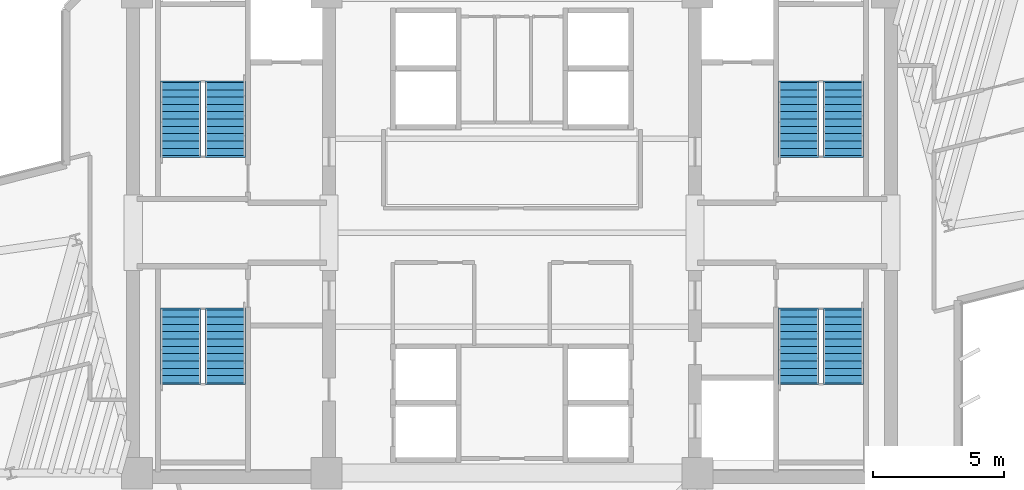
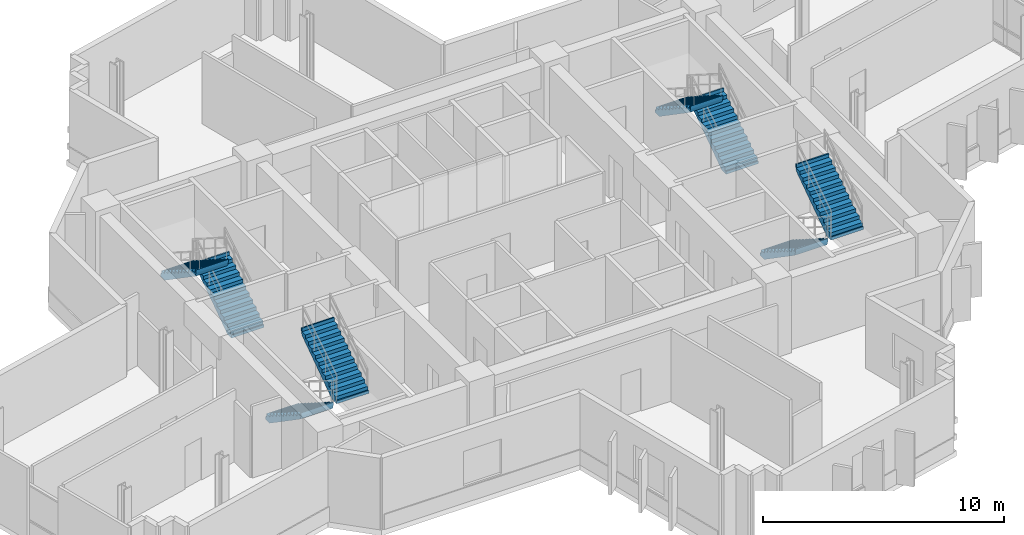
# One storey, part 10 of 13: 8 stair flights, 4 elements without a shape of their own.
"""IFC4 building model written with IfcOpenShell, lengths in metres."""

from ifc_helpers import new_model, si_unit, direction, frame, origin, place, context, subcontext, project, spatial, polyline, outline, extrude, material, type_object, element, aggregate, save


model = new_model("IFC4")

# Units and contexts
model_context = context("Model", 3, precision=1e-05, world=origin(), true_north=direction((0.0, 1.0)))
body_context = subcontext(model_context, "Body", "Model", "MODEL_VIEW")
ifc_project = project(units=[si_unit("LENGTHUNIT", "METRE"), si_unit("AREAUNIT", "SQUARE_METRE"), si_unit("VOLUMEUNIT", "CUBIC_METRE"), si_unit("PLANEANGLEUNIT", "RADIAN"), si_unit("MASSUNIT", "GRAM", prefix="KILO")], contexts=[model_context])

# Site, building, storey
site_placement = place(None, origin())
site = spatial("IfcSite", under=ifc_project, at=site_placement, CompositionType="ELEMENT")
building_placement = place(site_placement, origin())
building = spatial("IfcBuilding", under=site, at=building_placement, Name="Zahravan Cultural Tower", CompositionType="ELEMENT")
storey_placement = place(building_placement, frame((0.0, 0.0, 182.39990234375)))
storey = spatial("IfcBuildingStorey", under=building, at=storey_placement, Name="L42", CompositionType="ELEMENT", Elevation=182.39990234375)

# Stair, stair flights
ifc_material = material(Name="Concrete C45/55", Category="concrete")
stair_type = type_object("IfcStairType", Name="STR-DL-1550-390", PredefinedType="HALF_TURN_STAIR", material=ifc_material)
stair_1_placement = place(storey_placement, origin())
stair_1 = element("IfcStair", 1, at=stair_1_placement, inside=storey, type_object=stair_type, Name="L42 West Core North Exit Stair ST-W1", PredefinedType="HALF_TURN_STAIR")
stair_flight_type = type_object("IfcStairFlightType", Name="FLG-DL-1550-390", PredefinedType="STRAIGHT", material=ifc_material)
stair_flight_1_placement = place(storey_placement, frame((25.02490234375, 29.949951171875, 0.0), z_axis=(0.0, 0.0, 1.0), x_axis=(0.0, 1.0, 0.0)))
stair_flight_1 = element("IfcStairFlight", 2, at=stair_flight_1_placement, type_object=stair_flight_type, Name="ST-W1 flight 1", NumberOfRisers=11, NumberOfTreads=10, PredefinedType="STRAIGHT", RiserHeight=0.177272727, TreadLength=0.28, context=body_context, shape_type="SweptSolid", body=[
    extrude(outline(polyline([(-0.06494140625, -0.139892578125), (-0.06494140625, 0.0), (0.0, 0.0), (0.0, 0.17724609375), (0.280029296875, 0.17724609375), (0.280029296875, 0.3544921875), (0.56005859375, 0.3544921875), (0.56005859375, 0.53173828125), (0.840087890625, 0.53173828125), (0.840087890625, 0.708984375), (1.1201171875, 0.708984375), (1.1201171875, 0.886474609375), (1.39990234375, 0.886474609375), (1.39990234375, 1.063720703125), (1.679931640625, 1.063720703125), (1.679931640625, 1.240966796875), (1.9599609375, 1.240966796875), (1.9599609375, 1.418212890625), (2.239990234375, 1.418212890625), (2.239990234375, 1.595458984375), (2.52001953125, 1.595458984375), (2.52001953125, 1.772705078125), (2.800048828125, 1.772705078125), (2.800048828125, 1.949951171875), (2.864990234375, 1.949951171875), (2.864990234375, 1.800048828125), (2.800048828125, 1.59521484375), (0.2802734375, -0.139892578125), (-0.06494140625, -0.139892578125)])), frame((0.0, 0.77490234375, 0.0), z_axis=(0.0, -1.0, 0.0), x_axis=(1.0, 0.0, 0.0)), (0.0, 0.0, 1.0), 1.550048828125),
])
stair_flight_2_placement = place(storey_placement, frame((23.324951171875, 32.75, 1.9501953125), z_axis=(0.0, 0.0, 1.0), x_axis=(0.0, -1.0, 0.0)))
stair_flight_2 = element("IfcStairFlight", 3, at=stair_flight_2_placement, type_object=stair_flight_type, Name="ST-W1 flight 2", NumberOfRisers=11, NumberOfTreads=10, PredefinedType="STRAIGHT", RiserHeight=0.177272727, TreadLength=0.28, context=body_context, shape_type="SweptSolid", body=[
    extrude(outline(polyline([(-0.06494140625, -0.139892578125), (-0.06494140625, 0.0), (0.0, 0.0), (0.0, 0.17724609375), (0.280029296875, 0.17724609375), (0.280029296875, 0.3544921875), (0.56005859375, 0.3544921875), (0.56005859375, 0.53173828125), (0.840087890625, 0.53173828125), (0.840087890625, 0.708984375), (1.1201171875, 0.708984375), (1.1201171875, 0.886474609375), (1.39990234375, 0.886474609375), (1.39990234375, 1.063720703125), (1.679931640625, 1.063720703125), (1.679931640625, 1.240966796875), (1.9599609375, 1.240966796875), (1.9599609375, 1.418212890625), (2.239990234375, 1.418212890625), (2.239990234375, 1.595458984375), (2.52001953125, 1.595458984375), (2.52001953125, 1.772705078125), (2.800048828125, 1.772705078125), (2.800048828125, 1.949951171875), (2.864990234375, 1.949951171875), (2.864990234375, 1.800048828125), (2.800048828125, 1.59521484375), (0.2802734375, -0.139892578125), (-0.06494140625, -0.139892578125)])), frame((0.0, 0.77490234375, 0.0), z_axis=(0.0, -1.0, 0.0), x_axis=(1.0, 0.0, 0.0)), (0.0, 0.0, 1.0), 1.550048828125),
])
aggregate(stair_1, [stair_flight_1, stair_flight_2])

stair_2_placement = place(storey_placement, origin())
stair_2 = element("IfcStair", 4, at=stair_2_placement, inside=storey, type_object=stair_type, Name="L42 West Core South Exit Stair ST-W2", PredefinedType="HALF_TURN_STAIR")
stair_flight_3_placement = place(storey_placement, frame((23.324951171875, 24.050048828125, 0.0), z_axis=(0.0, 0.0, 1.0), x_axis=(0.0, -1.0, 0.0)))
stair_flight_3 = element("IfcStairFlight", 5, at=stair_flight_3_placement, type_object=stair_flight_type, Name="ST-W2 flight 1", NumberOfRisers=11, NumberOfTreads=10, PredefinedType="STRAIGHT", RiserHeight=0.177272727, TreadLength=0.28, context=body_context, shape_type="SweptSolid", body=[
    extrude(outline(polyline([(-0.06494140625, -0.139892578125), (-0.06494140625, 0.0), (0.0, 0.0), (0.0, 0.17724609375), (0.280029296875, 0.17724609375), (0.280029296875, 0.3544921875), (0.56005859375, 0.3544921875), (0.56005859375, 0.53173828125), (0.840087890625, 0.53173828125), (0.840087890625, 0.708984375), (1.1201171875, 0.708984375), (1.1201171875, 0.886474609375), (1.39990234375, 0.886474609375), (1.39990234375, 1.063720703125), (1.679931640625, 1.063720703125), (1.679931640625, 1.240966796875), (1.9599609375, 1.240966796875), (1.9599609375, 1.418212890625), (2.239990234375, 1.418212890625), (2.239990234375, 1.595458984375), (2.52001953125, 1.595458984375), (2.52001953125, 1.772705078125), (2.800048828125, 1.772705078125), (2.800048828125, 1.949951171875), (2.864990234375, 1.949951171875), (2.864990234375, 1.800048828125), (2.800048828125, 1.59521484375), (0.2802734375, -0.139892578125), (-0.06494140625, -0.139892578125)])), frame((0.0, 0.77490234375, 0.0), z_axis=(0.0, -1.0, 0.0), x_axis=(1.0, 0.0, 0.0)), (0.0, 0.0, 1.0), 1.550048828125),
])
stair_flight_4_placement = place(storey_placement, frame((25.02490234375, 21.25, 1.9501953125), z_axis=(0.0, 0.0, 1.0), x_axis=(0.0, 1.0, 0.0)))
stair_flight_4 = element("IfcStairFlight", 6, at=stair_flight_4_placement, type_object=stair_flight_type, Name="ST-W2 flight 2", NumberOfRisers=11, NumberOfTreads=10, PredefinedType="STRAIGHT", RiserHeight=0.177272727, TreadLength=0.28, context=body_context, shape_type="SweptSolid", body=[
    extrude(outline(polyline([(-0.06494140625, -0.139892578125), (-0.06494140625, 0.0), (0.0, 0.0), (0.0, 0.17724609375), (0.280029296875, 0.17724609375), (0.280029296875, 0.3544921875), (0.56005859375, 0.3544921875), (0.56005859375, 0.53173828125), (0.840087890625, 0.53173828125), (0.840087890625, 0.708984375), (1.1201171875, 0.708984375), (1.1201171875, 0.886474609375), (1.39990234375, 0.886474609375), (1.39990234375, 1.063720703125), (1.679931640625, 1.063720703125), (1.679931640625, 1.240966796875), (1.9599609375, 1.240966796875), (1.9599609375, 1.418212890625), (2.239990234375, 1.418212890625), (2.239990234375, 1.595458984375), (2.52001953125, 1.595458984375), (2.52001953125, 1.772705078125), (2.800048828125, 1.772705078125), (2.800048828125, 1.949951171875), (2.864990234375, 1.949951171875), (2.864990234375, 1.800048828125), (2.800048828125, 1.59521484375), (0.2802734375, -0.139892578125), (-0.06494140625, -0.139892578125)])), frame((0.0, 0.77490234375, 0.0), z_axis=(0.0, -1.0, 0.0), x_axis=(1.0, 0.0, 0.0)), (0.0, 0.0, 1.0), 1.550048828125),
])
aggregate(stair_2, [stair_flight_3, stair_flight_4])

stair_3_placement = place(storey_placement, origin())
stair_3 = element("IfcStair", 7, at=stair_3_placement, inside=storey, type_object=stair_type, Name="L42 East Core North Exit Stair ST-E1", PredefinedType="HALF_TURN_STAIR")
stair_flight_5_placement = place(storey_placement, frame((48.675048828125, 29.949951171875, 0.0), z_axis=(0.0, 0.0, 1.0), x_axis=(0.0, 1.0, 0.0)))
stair_flight_5 = element("IfcStairFlight", 8, at=stair_flight_5_placement, type_object=stair_flight_type, Name="ST-E1 flight 1", NumberOfRisers=11, NumberOfTreads=10, PredefinedType="STRAIGHT", RiserHeight=0.177272727, TreadLength=0.28, context=body_context, shape_type="SweptSolid", body=[
    extrude(outline(polyline([(-0.06494140625, -0.139892578125), (-0.06494140625, 0.0), (0.0, 0.0), (0.0, 0.17724609375), (0.280029296875, 0.17724609375), (0.280029296875, 0.3544921875), (0.56005859375, 0.3544921875), (0.56005859375, 0.53173828125), (0.840087890625, 0.53173828125), (0.840087890625, 0.708984375), (1.1201171875, 0.708984375), (1.1201171875, 0.886474609375), (1.39990234375, 0.886474609375), (1.39990234375, 1.063720703125), (1.679931640625, 1.063720703125), (1.679931640625, 1.240966796875), (1.9599609375, 1.240966796875), (1.9599609375, 1.418212890625), (2.239990234375, 1.418212890625), (2.239990234375, 1.595458984375), (2.52001953125, 1.595458984375), (2.52001953125, 1.772705078125), (2.800048828125, 1.772705078125), (2.800048828125, 1.949951171875), (2.864990234375, 1.949951171875), (2.864990234375, 1.800048828125), (2.800048828125, 1.59521484375), (0.2802734375, -0.139892578125), (-0.06494140625, -0.139892578125)])), frame((0.0, 0.77490234375, 0.0), z_axis=(0.0, -1.0, 0.0), x_axis=(1.0, 0.0, 0.0)), (0.0, 0.0, 1.0), 1.550048828125),
])
stair_flight_6_placement = place(storey_placement, frame((46.97509765625, 32.75, 1.9501953125), z_axis=(0.0, 0.0, 1.0), x_axis=(0.0, -1.0, 0.0)))
stair_flight_6 = element("IfcStairFlight", 9, at=stair_flight_6_placement, type_object=stair_flight_type, Name="ST-E1 flight 2", NumberOfRisers=11, NumberOfTreads=10, PredefinedType="STRAIGHT", RiserHeight=0.177272727, TreadLength=0.28, context=body_context, shape_type="SweptSolid", body=[
    extrude(outline(polyline([(-0.06494140625, -0.139892578125), (-0.06494140625, 0.0), (0.0, 0.0), (0.0, 0.17724609375), (0.280029296875, 0.17724609375), (0.280029296875, 0.3544921875), (0.56005859375, 0.3544921875), (0.56005859375, 0.53173828125), (0.840087890625, 0.53173828125), (0.840087890625, 0.708984375), (1.1201171875, 0.708984375), (1.1201171875, 0.886474609375), (1.39990234375, 0.886474609375), (1.39990234375, 1.063720703125), (1.679931640625, 1.063720703125), (1.679931640625, 1.240966796875), (1.9599609375, 1.240966796875), (1.9599609375, 1.418212890625), (2.239990234375, 1.418212890625), (2.239990234375, 1.595458984375), (2.52001953125, 1.595458984375), (2.52001953125, 1.772705078125), (2.800048828125, 1.772705078125), (2.800048828125, 1.949951171875), (2.864990234375, 1.949951171875), (2.864990234375, 1.800048828125), (2.800048828125, 1.59521484375), (0.2802734375, -0.139892578125), (-0.06494140625, -0.139892578125)])), frame((0.0, 0.77490234375, 0.0), z_axis=(0.0, -1.0, 0.0), x_axis=(1.0, 0.0, 0.0)), (0.0, 0.0, 1.0), 1.550048828125),
])
aggregate(stair_3, [stair_flight_5, stair_flight_6])

stair_4_placement = place(storey_placement, origin())
stair_4 = element("IfcStair", 10, at=stair_4_placement, inside=storey, type_object=stair_type, Name="L42 East Core South Exit Stair ST-E2", PredefinedType="HALF_TURN_STAIR")
stair_flight_7_placement = place(storey_placement, frame((46.97509765625, 24.050048828125, 0.0), z_axis=(0.0, 0.0, 1.0), x_axis=(0.0, -1.0, 0.0)))
stair_flight_7 = element("IfcStairFlight", 11, at=stair_flight_7_placement, type_object=stair_flight_type, Name="ST-E2 flight 1", NumberOfRisers=11, NumberOfTreads=10, PredefinedType="STRAIGHT", RiserHeight=0.177272727, TreadLength=0.28, context=body_context, shape_type="SweptSolid", body=[
    extrude(outline(polyline([(-0.06494140625, -0.139892578125), (-0.06494140625, 0.0), (0.0, 0.0), (0.0, 0.17724609375), (0.280029296875, 0.17724609375), (0.280029296875, 0.3544921875), (0.56005859375, 0.3544921875), (0.56005859375, 0.53173828125), (0.840087890625, 0.53173828125), (0.840087890625, 0.708984375), (1.1201171875, 0.708984375), (1.1201171875, 0.886474609375), (1.39990234375, 0.886474609375), (1.39990234375, 1.063720703125), (1.679931640625, 1.063720703125), (1.679931640625, 1.240966796875), (1.9599609375, 1.240966796875), (1.9599609375, 1.418212890625), (2.239990234375, 1.418212890625), (2.239990234375, 1.595458984375), (2.52001953125, 1.595458984375), (2.52001953125, 1.772705078125), (2.800048828125, 1.772705078125), (2.800048828125, 1.949951171875), (2.864990234375, 1.949951171875), (2.864990234375, 1.800048828125), (2.800048828125, 1.59521484375), (0.2802734375, -0.139892578125), (-0.06494140625, -0.139892578125)])), frame((0.0, 0.77490234375, 0.0), z_axis=(0.0, -1.0, 0.0), x_axis=(1.0, 0.0, 0.0)), (0.0, 0.0, 1.0), 1.550048828125),
])
stair_flight_8_placement = place(storey_placement, frame((48.675048828125, 21.25, 1.9501953125), z_axis=(0.0, 0.0, 1.0), x_axis=(0.0, 1.0, 0.0)))
stair_flight_8 = element("IfcStairFlight", 12, at=stair_flight_8_placement, type_object=stair_flight_type, Name="ST-E2 flight 2", NumberOfRisers=11, NumberOfTreads=10, PredefinedType="STRAIGHT", RiserHeight=0.177272727, TreadLength=0.28, context=body_context, shape_type="SweptSolid", body=[
    extrude(outline(polyline([(-0.06494140625, -0.139892578125), (-0.06494140625, 0.0), (0.0, 0.0), (0.0, 0.17724609375), (0.280029296875, 0.17724609375), (0.280029296875, 0.3544921875), (0.56005859375, 0.3544921875), (0.56005859375, 0.53173828125), (0.840087890625, 0.53173828125), (0.840087890625, 0.708984375), (1.1201171875, 0.708984375), (1.1201171875, 0.886474609375), (1.39990234375, 0.886474609375), (1.39990234375, 1.063720703125), (1.679931640625, 1.063720703125), (1.679931640625, 1.240966796875), (1.9599609375, 1.240966796875), (1.9599609375, 1.418212890625), (2.239990234375, 1.418212890625), (2.239990234375, 1.595458984375), (2.52001953125, 1.595458984375), (2.52001953125, 1.772705078125), (2.800048828125, 1.772705078125), (2.800048828125, 1.949951171875), (2.864990234375, 1.949951171875), (2.864990234375, 1.800048828125), (2.800048828125, 1.59521484375), (0.2802734375, -0.139892578125), (-0.06494140625, -0.139892578125)])), frame((0.0, 0.77490234375, 0.0), z_axis=(0.0, -1.0, 0.0), x_axis=(1.0, 0.0, 0.0)), (0.0, 0.0, 1.0), 1.550048828125),
])
aggregate(stair_4, [stair_flight_7, stair_flight_8])

save(model, "model.ifc")
